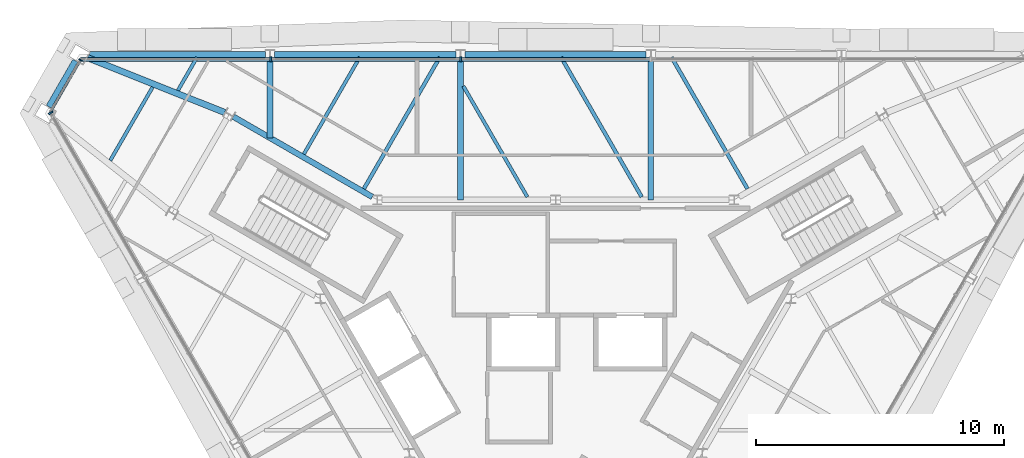
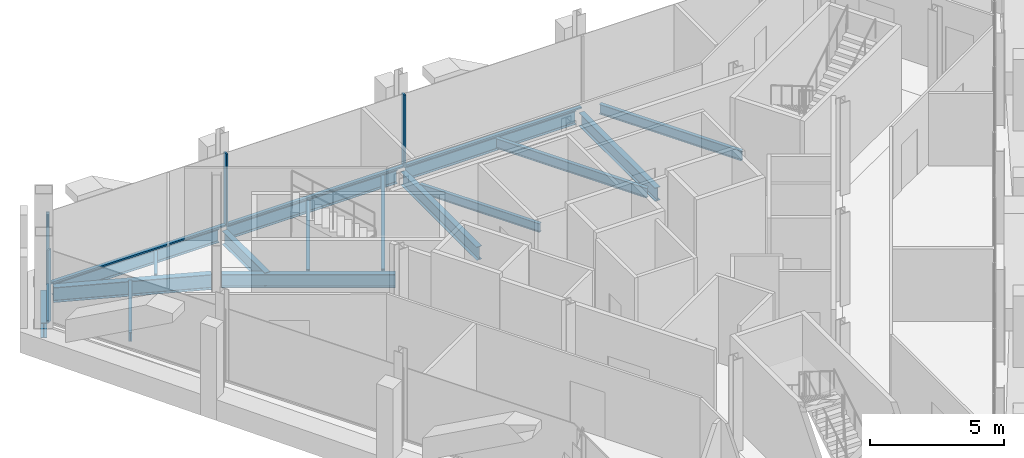
# One storey, part 6 of 13: 16 beams, 8 members, 3 elements without a shape of their own.
"""IFC4 building model written with IfcOpenShell, lengths in metres."""

from ifc_helpers import new_model, si_unit, direction, frame, origin, origin_2d, place, context, subcontext, project, spatial, rectangle, i_section, extrude, material, material_profile, profile_set, type_object, element, aggregate, save


model = new_model("IFC4")

# Units and contexts
model_context = context("Model", 3, precision=1e-05, world=origin(), true_north=direction((0.0, 1.0)))
body_context = subcontext(model_context, "Body", "Model", "MODEL_VIEW")
ifc_project = project(units=[si_unit("LENGTHUNIT", "METRE"), si_unit("AREAUNIT", "SQUARE_METRE"), si_unit("VOLUMEUNIT", "CUBIC_METRE"), si_unit("PLANEANGLEUNIT", "RADIAN"), si_unit("MASSUNIT", "GRAM", prefix="KILO")], contexts=[model_context])

# Site, building, storey
site_placement = place(None, origin())
site = spatial("IfcSite", under=ifc_project, at=site_placement, CompositionType="ELEMENT")
building_placement = place(site_placement, origin())
building = spatial("IfcBuilding", under=site, at=building_placement, Name="Verrane Prism Tower", CompositionType="ELEMENT")
storey_placement = place(building_placement, frame((0.0, 0.0, 316.800048828125)))
storey = spatial("IfcBuildingStorey", under=building, at=storey_placement, Name="L80", CompositionType="ELEMENT", Elevation=316.800048828125)

# Beams
ifc_material_1 = material(Name="Steel A992", Category="steel")
ifc_material_profile_1 = material_profile(ifc_material_1, i_section(OverallWidth=0.25390625, OverallDepth=0.683349609375, WebThickness=0.012451171875, FlangeThickness=0.01904296875, FilletRadius=0.01513671875, at=origin_2d()), Name="W27x94")
ifc_profile_set_1 = profile_set([ifc_material_profile_1], Name="Steel A992")
beam_type_1 = type_object("IfcBeamType", Name="Chamfer spandrel beam W27x94", PredefinedType="SPANDREL", material=ifc_profile_set_1)
beam_1_placement = place(storey_placement, frame((-19.320068359375, 12.390380859375, -0.501708984375), z_axis=(-0.500486898547, -0.865744110221, 0.0), x_axis=(0.865744110221, -0.500486898547, 0.0)))
element("IfcBeam", 1, at=beam_1_placement, inside=storey, type_object=beam_type_1, Name="Chamfer spandrel beam L80", PredefinedType="SPANDREL", context=body_context, shape_type="SweptSolid", body=[
    extrude(i_section(OverallWidth=0.25390625, OverallDepth=0.683349609375, WebThickness=0.012451171875, FlangeThickness=0.01904296875, FilletRadius=0.01513671875, at=origin_2d()), origin(), (0.0, 0.0, 1.0), 2.137451171875),
])
ifc_material_2 = material(Name="Steel A992", Category="steel")
ifc_material_profile_2 = material_profile(ifc_material_2, i_section(OverallWidth=0.228271484375, OverallDepth=0.607177734375, WebThickness=0.01123046875, FlangeThickness=0.017333984375, FilletRadius=0.0126953125, at=origin_2d()), Name="W24x76")
ifc_profile_set_2 = profile_set([ifc_material_profile_2], Name="Steel A992")
beam_type_2 = type_object("IfcBeamType", Name="Core ring girder W24x76", PredefinedType="BEAM", material=ifc_profile_set_2)
beam_2_placement = place(storey_placement, frame((-7.37939453125, 6.9150390625, -0.553466796875), z_axis=(-0.866085504117, 0.499895888719, 0.0), x_axis=(-0.499895888719, -0.866085504117, 0.0)))
element("IfcBeam", 2, at=beam_2_placement, inside=storey, type_object=beam_type_2, Name="Core ring girder L80", PredefinedType="BEAM", context=body_context, shape_type="SweptSolid", body=[
    extrude(i_section(OverallWidth=0.228271484375, OverallDepth=0.607177734375, WebThickness=0.01123046875, FlangeThickness=0.017333984375, FilletRadius=0.0126953125, at=origin_2d()), origin(), (0.0, 0.0, 1.0), 6.45849609375),
])
ifc_material_3 = material(Name="Steel A992", Category="steel")
ifc_material_profile_3 = material_profile(ifc_material_3, i_section(OverallWidth=0.25390625, OverallDepth=0.683349609375, WebThickness=0.012451171875, FlangeThickness=0.01904296875, FilletRadius=0.01513671875, at=origin_2d()), Name="W27x94")
ifc_profile_set_3 = profile_set([ifc_material_profile_3], Name="Steel A992")
beam_type_3 = type_object("IfcBeamType", Name="Corner girder W27x94", PredefinedType="BEAM", material=ifc_profile_set_3)
beam_3_placement = place(storey_placement, frame((-18.841552734375, 12.518798828125, -0.561767578125), z_axis=(0.928587103525, -0.371114525675, 0.0), x_axis=(0.371114525675, 0.928587103525, 0.0)))
element("IfcBeam", 3, at=beam_3_placement, inside=storey, type_object=beam_type_3, Name="Corner girder L80", PredefinedType="BEAM", context=body_context, shape_type="SweptSolid", body=[
    extrude(i_section(OverallWidth=0.25390625, OverallDepth=0.683349609375, WebThickness=0.012451171875, FlangeThickness=0.01904296875, FilletRadius=0.01513671875, at=origin_2d()), origin(), (0.0, 0.0, 1.0), 5.945068359375),
])
ifc_material_4 = material(Name="Steel A992", Category="steel")
ifc_material_profile_4 = material_profile(ifc_material_4, i_section(OverallWidth=0.140380859375, OverallDepth=0.40380859375, WebThickness=0.007080078125, FlangeThickness=0.01123046875, FilletRadius=0.01025390625, at=origin_2d()), Name="W16x31")
ifc_profile_set_4 = profile_set([ifc_material_profile_4], Name="Steel A992")
beam_type_4 = type_object("IfcBeamType", Name="Floor beam W16x31", PredefinedType="BEAM", material=ifc_profile_set_4)
beam_4_placement = place(storey_placement, frame((-1.140380859375, 6.9140625, -0.362060546875), z_axis=(-0.500023314225, 0.866011942892, 0.0), x_axis=(-0.866011942892, -0.500023314225, 0.0)))
element("IfcBeam", 4, at=beam_4_placement, inside=storey, type_object=beam_type_4, Name="Floor beam L80", PredefinedType="BEAM", context=body_context, shape_type="SweptSolid", body=[
    extrude(i_section(OverallWidth=0.140380859375, OverallDepth=0.40380859375, WebThickness=0.007080078125, FlangeThickness=0.01123046875, FilletRadius=0.01025390625, at=origin_2d()), origin(), (0.0, 0.0, 1.0), 5.151123046875),
])
beam_5_placement = place(storey_placement, frame((-10.135498046875, 8.635009765625, -0.362060546875), z_axis=(0.500003959331, 0.866023117852, 0.0), x_axis=(-0.866023117852, 0.500003959331, 0.0)))
element("IfcBeam", 5, at=beam_5_placement, inside=storey, type_object=beam_type_4, Name="Floor beam L80", PredefinedType="BEAM", context=body_context, shape_type="SweptSolid", body=[
    extrude(i_section(OverallWidth=0.140380859375, OverallDepth=0.40380859375, WebThickness=0.007080078125, FlangeThickness=0.01123046875, FilletRadius=0.01025390625, at=origin_2d()), origin(), (0.0, 0.0, 1.0), 4.50439453125),
])
beam_6_placement = place(storey_placement, frame((-15.201904296875, 11.20068359375, -0.362060546875), z_axis=(0.50005597947, 0.86599308161, 0.0), x_axis=(-0.86599308161, 0.50005597947, 0.0)))
element("IfcBeam", 6, at=beam_6_placement, inside=storey, type_object=beam_type_4, Name="Floor beam L80", PredefinedType="BEAM", context=body_context, shape_type="SweptSolid", body=[
    extrude(i_section(OverallWidth=0.140380859375, OverallDepth=0.40380859375, WebThickness=0.007080078125, FlangeThickness=0.01123046875, FilletRadius=0.01025390625, at=origin_2d()), origin(), (0.0, 0.0, 1.0), 1.541748046875),
])
beam_7_placement = place(storey_placement, frame((-17.925048828125, 8.380615234375, -0.362060546875), z_axis=(0.500042619005, 0.866000796292, 0.0), x_axis=(-0.866000796292, 0.500042619005, 0.0)))
element("IfcBeam", 7, at=beam_7_placement, inside=storey, type_object=beam_type_4, Name="Floor beam L80", PredefinedType="BEAM", context=body_context, shape_type="SweptSolid", body=[
    extrude(i_section(OverallWidth=0.140380859375, OverallDepth=0.40380859375, WebThickness=0.007080078125, FlangeThickness=0.01123046875, FilletRadius=0.01025390625, at=origin_2d()), origin(), (0.0, 0.0, 1.0), 3.410400390625),
])
ifc_material_5 = material(Name="Steel A992", Category="steel")
ifc_material_profile_5 = material_profile(ifc_material_5, i_section(OverallWidth=0.15234375, OverallDepth=0.449462890625, WebThickness=0.007568359375, FlangeThickness=0.0107421875, FilletRadius=0.01025390625, at=origin_2d()), Name="W18x35")
ifc_profile_set_5 = profile_set([ifc_material_profile_5], Name="Steel A992")
beam_type_5 = type_object("IfcBeamType", Name="Floor beam W18x35", PredefinedType="BEAM", material=ifc_profile_set_5)
beam_8_placement = place(storey_placement, frame((7.718994140625, 7.2421875, -0.384765625), z_axis=(-0.500009409241, 0.866019971289, 0.0), x_axis=(-0.866019971289, -0.500009409241, 0.0)))
element("IfcBeam", 8, at=beam_8_placement, inside=storey, type_object=beam_type_5, Name="Floor beam L80", PredefinedType="BEAM", context=body_context, shape_type="SweptSolid", body=[
    extrude(i_section(OverallWidth=0.15234375, OverallDepth=0.449462890625, WebThickness=0.007568359375, FlangeThickness=0.0107421875, FilletRadius=0.01025390625, at=origin_2d()), origin(), (0.0, 0.0, 1.0), 6.11279296875),
])
beam_9_placement = place(storey_placement, frame((3.46240234375, 6.9140625, -0.384765625), z_axis=(-0.499981816164, 0.866035901972, 0.0), x_axis=(-0.866035901972, -0.499981816164, 0.0)))
element("IfcBeam", 9, at=beam_9_placement, inside=storey, type_object=beam_type_5, Name="Floor beam L80", PredefinedType="BEAM", context=body_context, shape_type="SweptSolid", body=[
    extrude(i_section(OverallWidth=0.15234375, OverallDepth=0.449462890625, WebThickness=0.007568359375, FlangeThickness=0.0107421875, FilletRadius=0.01025390625, at=origin_2d()), origin(), (0.0, 0.0, 1.0), 6.491455078125),
])
beam_10_placement = place(storey_placement, frame((-7.718994140625, 7.2421875, -0.384765625), z_axis=(0.500009409241, 0.866019971289, 0.0), x_axis=(-0.866019971289, 0.500009409241, 0.0)))
element("IfcBeam", 10, at=beam_10_placement, inside=storey, type_object=beam_type_5, Name="Floor beam L80", PredefinedType="BEAM", context=body_context, shape_type="SweptSolid", body=[
    extrude(i_section(OverallWidth=0.15234375, OverallDepth=0.449462890625, WebThickness=0.007568359375, FlangeThickness=0.0107421875, FilletRadius=0.01025390625, at=origin_2d()), origin(), (0.0, 0.0, 1.0), 6.11279296875),
])

# Curtain wall, member
ifc_material_6 = material(Name="Aluminium framed insulated glazing", Category="aluminium")
curtain_wall_type_1 = type_object("IfcCurtainWallType", Name="Curtain wall CW-C 4200 module", PredefinedType="NOTDEFINED", material=ifc_material_6)
curtain_wall_1_placement = place(storey_placement, origin())
curtain_wall_1 = element("IfcCurtainWall", 11, at=curtain_wall_1_placement, inside=storey, type_object=curtain_wall_type_1, Name="Glazed curtain wall north-west corner L80", PredefinedType="NOTDEFINED")
ifc_material_7 = material(Name="Aluminium alloy 6063-T6", Category="aluminium")
ifc_material_profile_6 = material_profile(ifc_material_7, rectangle(XDim=0.139892578125, YDim=0.050048828125, at=origin_2d()), Name="Mullion 50x140 aluminium")
ifc_profile_set_6 = profile_set([ifc_material_profile_6], Name="Aluminium alloy 6063-T6")
member_type_1 = type_object("IfcMemberType", Name="Mullion 50x140 aluminium", PredefinedType="MULLION", material=ifc_profile_set_6)
member_1_placement = place(storey_placement, frame((-19.12646484375, 12.425537109375, 0.0), z_axis=(0.0, 0.0, 1.0), x_axis=(0.866024860131, -0.500000941634, 0.0)))
member_1 = element("IfcMember", 12, at=member_1_placement, type_object=member_type_1, Name="CW80.3 mullion 1", PredefinedType="MULLION", context=body_context, shape_type="SweptSolid", body=[
    extrude(rectangle(XDim=0.139892578125, YDim=0.050048828125, at=origin_2d()), origin(), (0.0, 0.0, 1.0), 3.296630859375),
])

# Curtain wall, members
ifc_material_8 = material(Name="Aluminium framed insulated glazing", Category="aluminium")
curtain_wall_type_2 = type_object("IfcCurtainWallType", Name="Curtain wall CW-A 8400 module", PredefinedType="NOTDEFINED", material=ifc_material_8)
curtain_wall_2_placement = place(storey_placement, origin())
curtain_wall_2 = element("IfcCurtainWall", 13, at=curtain_wall_2_placement, inside=storey, type_object=curtain_wall_type_2, Name="Glazed curtain wall north face L80", PredefinedType="NOTDEFINED")
ifc_material_9 = material(Name="Aluminium alloy 6063-T6", Category="aluminium")
ifc_material_profile_7 = material_profile(ifc_material_9, rectangle(XDim=0.199951171875, YDim=0.070068359375, at=origin_2d()), Name="Mullion 70x200 aluminium")
ifc_profile_set_7 = profile_set([ifc_material_profile_7], Name="Aluminium alloy 6063-T6")
member_type_2 = type_object("IfcMemberType", Name="Mullion 70x200 aluminium", PredefinedType="MULLION", material=ifc_profile_set_7)
member_2_placement = place(storey_placement, frame((-3.82275390625, 12.447265625, 0.0), z_axis=(0.0, 0.0, 1.0), x_axis=(0.0, -1.0, 0.0)))
member_2 = element("IfcMember", 14, at=member_2_placement, type_object=member_type_2, Name="CW80.2 mullion 4", PredefinedType="MULLION", context=body_context, shape_type="SweptSolid", body=[
    extrude(rectangle(XDim=0.199951171875, YDim=0.070068359375, at=origin_2d()), origin(), (0.0, 0.0, 1.0), 3.296630859375),
])
member_3_placement = place(storey_placement, frame((-11.468505859375, 12.447265625, 0.0), z_axis=(0.0, 0.0, 1.0), x_axis=(0.0, -1.0, 0.0)))
member_3 = element("IfcMember", 15, at=member_3_placement, type_object=member_type_2, Name="CW80.2 mullion 5", PredefinedType="MULLION", context=body_context, shape_type="SweptSolid", body=[
    extrude(rectangle(XDim=0.199951171875, YDim=0.070068359375, at=origin_2d()), origin(), (0.0, 0.0, 1.0), 3.296630859375),
])

# Curtain wall, member
curtain_wall_3_placement = place(storey_placement, origin())
curtain_wall_3 = element("IfcCurtainWall", 16, at=curtain_wall_3_placement, inside=storey, type_object=curtain_wall_type_2, Name="Glazed curtain wall south-west face L80", PredefinedType="NOTDEFINED")
member_4_placement = place(storey_placement, frame((-20.319091796875, 10.29931640625, 0.0), z_axis=(0.0, 0.0, 1.0), x_axis=(0.866025278644, 0.500000216749, 0.0)))
member_4 = element("IfcMember", 17, at=member_4_placement, type_object=member_type_2, Name="CW80.4 mullion 1", PredefinedType="MULLION", context=body_context, shape_type="SweptSolid", body=[
    extrude(rectangle(XDim=0.199951171875, YDim=0.070068359375, at=origin_2d()), origin(), (0.0, 0.0, 1.0), 3.296630859375),
])
aggregate(curtain_wall_3, [member_4])

# Beams
ifc_material_10 = material(Name="Steel A992", Category="steel")
ifc_material_profile_8 = material_profile(ifc_material_10, i_section(OverallWidth=0.228271484375, OverallDepth=0.607177734375, WebThickness=0.01123046875, FlangeThickness=0.017333984375, FilletRadius=0.0126953125, at=origin_2d()), Name="W24x76")
ifc_profile_set_8 = profile_set([ifc_material_profile_8], Name="Steel A992")
beam_type_6 = type_object("IfcBeamType", Name="Radial girder W24x76", PredefinedType="BEAM", material=ifc_profile_set_8)
for number, where, z_axis, x_axis, name in (
    (18, (3.830078125, 12.4658203125, -0.5234375), (0.0, -1.0, 0.0), (1.0, 0.0, 0.0), "Radial girder L80"),
    (19, (-3.830078125, 12.4658203125, -0.5234375), (0.0, -1.0, 0.0), (1.0, 0.0, 0.0), "Radial girder L80"),
):
    element("IfcBeam", number, at=place(storey_placement, frame(where, z_axis=z_axis, x_axis=x_axis)), inside=storey, type_object=beam_type_6, Name=name, PredefinedType="BEAM", context=body_context, shape_type="SweptSolid", body=[
        extrude(i_section(OverallWidth=0.228271484375, OverallDepth=0.607177734375, WebThickness=0.01123046875, FlangeThickness=0.017333984375, FilletRadius=0.0126953125, at=origin_2d()), origin(), (0.0, 0.0, 1.0), 5.665771484375),
    ])
beam_11_placement = place(storey_placement, frame((-11.5, 12.4658203125, -0.5234375), z_axis=(0.0, -1.0, 0.0), x_axis=(1.0, 0.0, 0.0)))
element("IfcBeam", 20, at=beam_11_placement, inside=storey, type_object=beam_type_6, Name="Radial girder L80", PredefinedType="BEAM", context=body_context, shape_type="SweptSolid", body=[
    extrude(i_section(OverallWidth=0.228271484375, OverallDepth=0.607177734375, WebThickness=0.01123046875, FlangeThickness=0.017333984375, FilletRadius=0.0126953125, at=origin_2d()), origin(), (0.0, 0.0, 1.0), 3.17236328125),
])
ifc_material_11 = material(Name="Steel A992", Category="steel")
ifc_material_profile_9 = material_profile(ifc_material_11, i_section(OverallWidth=0.228271484375, OverallDepth=0.607177734375, WebThickness=0.01123046875, FlangeThickness=0.017333984375, FilletRadius=0.0126953125, at=origin_2d()), Name="W24x76")
ifc_profile_set_9 = profile_set([ifc_material_profile_9], Name="Steel A992")
beam_type_7 = type_object("IfcBeamType", Name="Spandrel beam W24x76", PredefinedType="SPANDREL", material=ifc_profile_set_9)
beam_12_placement = place(storey_placement, frame((3.643310546875, 12.64990234375, -0.463623046875), z_axis=(-1.0, 0.0, 0.0), x_axis=(0.0, -1.0, 0.0)))
element("IfcBeam", 21, at=beam_12_placement, inside=storey, type_object=beam_type_7, Name="Spandrel beam L80", PredefinedType="SPANDREL", context=body_context, shape_type="SweptSolid", body=[
    extrude(i_section(OverallWidth=0.228271484375, OverallDepth=0.607177734375, WebThickness=0.01123046875, FlangeThickness=0.017333984375, FilletRadius=0.0126953125, at=origin_2d()), origin(), (0.0, 0.0, 1.0), 7.28662109375),
])
beam_13_placement = place(storey_placement, frame((-4.0166015625, 12.64990234375, -0.463623046875), z_axis=(-1.0, 0.0, 0.0), x_axis=(0.0, -1.0, 0.0)))
element("IfcBeam", 22, at=beam_13_placement, inside=storey, type_object=beam_type_7, Name="Spandrel beam L80", PredefinedType="SPANDREL", context=body_context, shape_type="SweptSolid", body=[
    extrude(i_section(OverallWidth=0.228271484375, OverallDepth=0.607177734375, WebThickness=0.01123046875, FlangeThickness=0.017333984375, FilletRadius=0.0126953125, at=origin_2d()), origin(), (0.0, 0.0, 1.0), 7.296630859375),
])
beam_14_placement = place(storey_placement, frame((-11.686767578125, 12.64990234375, -0.463623046875), z_axis=(-1.0, 0.0, 0.0), x_axis=(0.0, -1.0, 0.0)))
element("IfcBeam", 23, at=beam_14_placement, inside=storey, type_object=beam_type_7, Name="Spandrel beam L80", PredefinedType="SPANDREL", context=body_context, shape_type="SweptSolid", body=[
    extrude(i_section(OverallWidth=0.228271484375, OverallDepth=0.607177734375, WebThickness=0.01123046875, FlangeThickness=0.017333984375, FilletRadius=0.0126953125, at=origin_2d()), origin(), (0.0, 0.0, 1.0), 7.0791015625),
])

# Member
ifc_material_12 = material(Name="Aluminium alloy 6063-T6", Category="aluminium")
ifc_material_profile_10 = material_profile(ifc_material_12, rectangle(XDim=0.10009765625, YDim=0.050048828125, at=origin_2d()), Name="Transom 50x100 aluminium")
ifc_profile_set_10 = profile_set([ifc_material_profile_10], Name="Aluminium alloy 6063-T6")
member_type_3 = type_object("IfcMemberType", Name="Transom 50x100 aluminium", PredefinedType="USERDEFINED", material=ifc_profile_set_10)
member_5_placement = place(storey_placement, frame((-19.138916015625, 12.40380859375, 0.02490234375), z_axis=(-0.500063610975, -0.865988674856, 0.0), x_axis=(0.865988674856, -0.500063610975, 0.0)))
member_5 = element("IfcMember", 24, at=member_5_placement, type_object=member_type_3, Name="CW80.3 transom 1", ObjectType="TRANSOM", PredefinedType="USERDEFINED", context=body_context, shape_type="SweptSolid", body=[
    extrude(rectangle(XDim=0.10009765625, YDim=0.050048828125, at=origin_2d()), origin(), (0.0, 0.0, 1.0), 2.395263671875),
])

aggregate(curtain_wall_1, [member_1, member_5])

ifc_material_13 = material(Name="Aluminium alloy 6063-T6", Category="aluminium")
ifc_material_profile_11 = material_profile(ifc_material_13, rectangle(XDim=0.14990234375, YDim=0.070068359375, at=origin_2d()), Name="Transom 70x150 aluminium")
ifc_profile_set_11 = profile_set([ifc_material_profile_11], Name="Aluminium alloy 6063-T6")
member_type_4 = type_object("IfcMemberType", Name="Transom 70x150 aluminium", PredefinedType="USERDEFINED", material=ifc_profile_set_11)
member_6_placement = place(storey_placement, frame((3.787841796875, 12.447265625, 0.034912109375), z_axis=(-1.0, 0.0, 0.0), x_axis=(0.0, -1.0, 0.0)))
member_6 = element("IfcMember", 25, at=member_6_placement, type_object=member_type_4, Name="CW80.2 transom 3", ObjectType="TRANSOM", PredefinedType="USERDEFINED", context=body_context, shape_type="SweptSolid", body=[
    extrude(rectangle(XDim=0.14990234375, YDim=0.070068359375, at=origin_2d()), origin(), (0.0, 0.0, 1.0), 7.57568359375),
])

member_7_placement = place(storey_placement, frame((-3.85791015625, 12.447265625, 0.034912109375), z_axis=(-1.0, 0.0, 0.0), x_axis=(0.0, -1.0, 0.0)))
member_7 = element("IfcMember", 26, at=member_7_placement, type_object=member_type_4, Name="CW80.2 transom 4", ObjectType="TRANSOM", PredefinedType="USERDEFINED", context=body_context, shape_type="SweptSolid", body=[
    extrude(rectangle(XDim=0.14990234375, YDim=0.070068359375, at=origin_2d()), origin(), (0.0, 0.0, 1.0), 7.575439453125),
])

member_8_placement = place(storey_placement, frame((-11.50341796875, 12.447265625, 0.034912109375), z_axis=(-1.0, 0.0, 0.0), x_axis=(0.0, -1.0, 0.0)))
member_8 = element("IfcMember", 27, at=member_8_placement, type_object=member_type_4, Name="CW80.2 transom 5", ObjectType="TRANSOM", PredefinedType="USERDEFINED", context=body_context, shape_type="SweptSolid", body=[
    extrude(rectangle(XDim=0.14990234375, YDim=0.070068359375, at=origin_2d()), origin(), (0.0, 0.0, 1.0), 7.610595703125),
])

aggregate(curtain_wall_2, [member_2, member_3, member_6, member_7, member_8])

save(model, "model.ifc")
